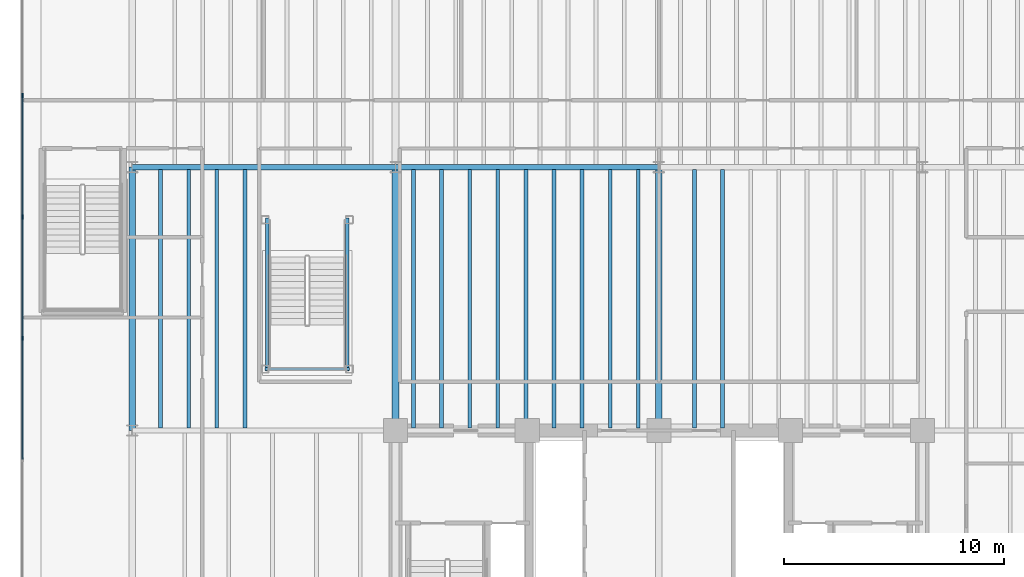
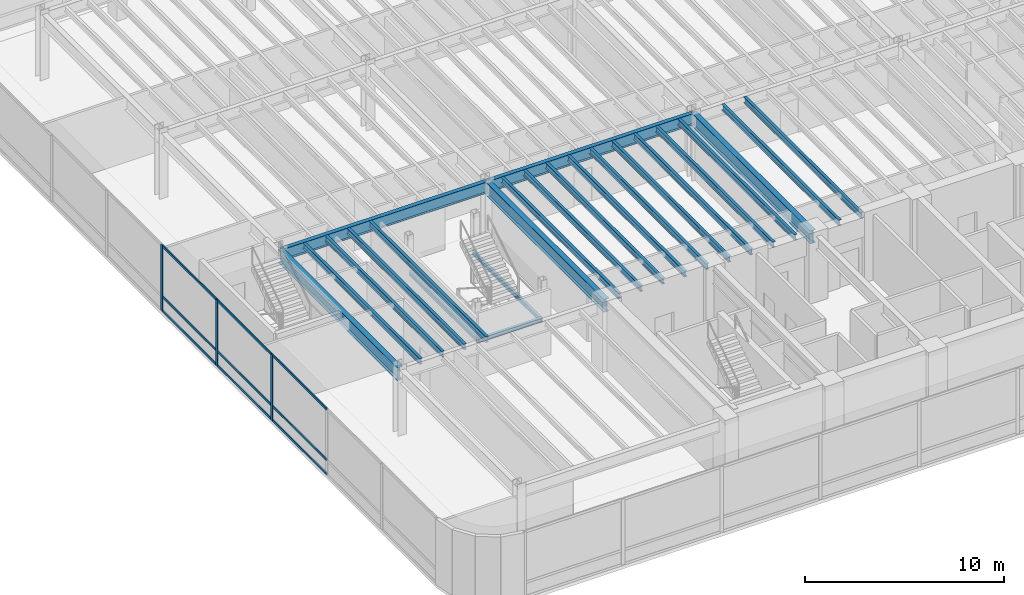
# One storey, part 4 of 18: 23 beams, 12 members, 1 element without a shape of its own.
"""IFC4 building model written with IfcOpenShell, lengths in metres."""

from ifc_helpers import new_model, si_unit, direction, frame, origin, origin_2d, place, context, subcontext, project, spatial, rectangle, i_section, extrude, source, transform, mapped, material, layer, layer_set, material_profile, profile_set, type_object, element, aggregate, save


model = new_model("IFC4")

# Units and contexts
model_context = context("Model", 3, precision=1e-05, world=origin(), true_north=direction((0.0, 1.0)))
body_context = subcontext(model_context, "Body", "Model", "MODEL_VIEW")
ifc_project = project(units=[si_unit("LENGTHUNIT", "METRE"), si_unit("AREAUNIT", "SQUARE_METRE"), si_unit("VOLUMEUNIT", "CUBIC_METRE"), si_unit("PLANEANGLEUNIT", "RADIAN"), si_unit("MASSUNIT", "GRAM", prefix="KILO")], contexts=[model_context])

# Site, building, storey
site_placement = place(None, origin())
site = spatial("IfcSite", under=ifc_project, at=site_placement, CompositionType="ELEMENT")
building_placement = place(site_placement, origin())
building = spatial("IfcBuilding", under=site, at=building_placement, Name="Brelvock Crest Care Tower", CompositionType="ELEMENT")
storey_placement = place(building_placement, frame((0.0, 0.0, 9.719970703125)))
storey = spatial("IfcBuildingStorey", under=building, at=storey_placement, Name="L02", CompositionType="ELEMENT", Elevation=9.719970703125)

# Beams
ifc_material_1 = material(Name="Steel Grade 350", Category="steel")
ifc_material_profile_1 = material_profile(ifc_material_1, i_section(OverallWidth=0.300048828125, OverallDepth=0.800048828125, WebThickness=0.013916015625, FlangeThickness=0.02197265625, at=origin_2d()), Name="800WB192")
ifc_profile_set_1 = profile_set([ifc_material_profile_1], Name="Steel Grade 350")
beam_type_1 = type_object("IfcBeamType", Name="BM-G5", PredefinedType="BEAM", material=ifc_profile_set_1)
shared_shape_1 = source(origin(), body_context, "Body", "SweptSolid", [
    extrude(i_section(OverallWidth=0.300048828125, OverallDepth=0.800048828125, WebThickness=0.013916015625, FlangeThickness=0.02197265625, at=origin_2d()), origin(), (0.0, 0.0, 1.0), 12.0),
])
for number, where, z_axis, x_axis, name in (
    (1, (12.0, 18.0, 3.64013671875), (0.0, 1.0, 0.0), (-1.0, 0.0, 0.0), "BM-PODY-L02-12-18"),
    (2, (24.0, 18.0, 3.64013671875), (0.0, 1.0, 0.0), (-1.0, 0.0, 0.0), "BM-PODY-L02-24-18"),
    (3, (36.0, 18.0, 3.64013671875), (0.0, 1.0, 0.0), (-1.0, 0.0, 0.0), "BM-PODY-L02-36-18"),
):
    element("IfcBeam", number, at=place(storey_placement, frame(where, z_axis=z_axis, x_axis=x_axis)), inside=storey, type_object=beam_type_1, Name=name, PredefinedType="BEAM", context=body_context, shape_type="MappedRepresentation", body=[
        mapped(shared_shape_1, transform((0.0, 0.0, 0.0), x_axis=(1.0, 0.0, 0.0), y_axis=(0.0, 1.0, 0.0), z_axis=(0.0, 0.0, 1.0), scale=1.0)),
    ])
ifc_material_profile_2 = material_profile(ifc_material_1, i_section(OverallWidth=0.172119140625, OverallDepth=0.35888671875, WebThickness=0.008056640625, FlangeThickness=0.012939453125, FilletRadius=0.011474609375, at=origin_2d()), Name="360UB56.7")
ifc_profile_set_2 = profile_set([ifc_material_profile_2], Name="Steel Grade 350")
beam_type_2 = type_object("IfcBeamType", Name="BM-J1", PredefinedType="JOIST", material=ifc_profile_set_2)
shared_shape_2 = source(origin(), body_context, "Body", "SweptSolid", [
    extrude(i_section(OverallWidth=0.172119140625, OverallDepth=0.35888671875, WebThickness=0.008056640625, FlangeThickness=0.012939453125, FilletRadius=0.011474609375, at=origin_2d()), origin(), (0.0, 0.0, 1.0), 11.77001953125),
])
for number, where, z_axis, x_axis, name in (
    (4, (13.300048828125, 18.114990234375, 3.860595703125), (0.0, 1.0, 0.0), (-1.0, 0.0, 0.0), "BM-PODJ-L02-1330-18"),
    (5, (14.580078125, 18.114990234375, 3.860595703125), (0.0, 1.0, 0.0), (-1.0, 0.0, 0.0), "BM-PODJ-L02-1458-18"),
    (6, (15.860107421875, 18.114990234375, 3.860595703125), (0.0, 1.0, 0.0), (-1.0, 0.0, 0.0), "BM-PODJ-L02-1586-18"),
    (7, (17.139892578125, 18.114990234375, 3.860595703125), (0.0, 1.0, 0.0), (-1.0, 0.0, 0.0), "BM-PODJ-L02-1714-18"),
    (8, (24.820068359375, 18.114990234375, 3.860595703125), (0.0, 1.0, 0.0), (-1.0, 0.0, 0.0), "BM-PODJ-L02-2482-18"),
    (9, (26.10009765625, 18.114990234375, 3.860595703125), (0.0, 1.0, 0.0), (-1.0, 0.0, 0.0), "BM-PODJ-L02-2610-18"),
    (10, (27.3798828125, 18.114990234375, 3.860595703125), (0.0, 1.0, 0.0), (-1.0, 0.0, 0.0), "BM-PODJ-L02-2738-18"),
    (11, (28.659912109375, 18.114990234375, 3.860595703125), (0.0, 1.0, 0.0), (-1.0, 0.0, 0.0), "BM-PODJ-L02-2866-18"),
    (12, (29.93994140625, 18.114990234375, 3.860595703125), (0.0, 1.0, 0.0), (-1.0, 0.0, 0.0), "BM-PODJ-L02-2994-18"),
    (13, (31.219970703125, 18.114990234375, 3.860595703125), (0.0, 1.0, 0.0), (-1.0, 0.0, 0.0), "BM-PODJ-L02-3122-18"),
    (14, (32.5, 18.114990234375, 3.860595703125), (0.0, 1.0, 0.0), (-1.0, 0.0, 0.0), "BM-PODJ-L02-3250-18"),
    (15, (33.780029296875, 18.114990234375, 3.860595703125), (0.0, 1.0, 0.0), (-1.0, 0.0, 0.0), "BM-PODJ-L02-3378-18"),
    (16, (35.06005859375, 18.114990234375, 3.860595703125), (0.0, 1.0, 0.0), (-1.0, 0.0, 0.0), "BM-PODJ-L02-3506-18"),
    (17, (37.6201171875, 18.114990234375, 3.860595703125), (0.0, 1.0, 0.0), (-1.0, 0.0, 0.0), "BM-PODJ-L02-3762-18"),
    (18, (38.89990234375, 18.114990234375, 3.860595703125), (0.0, 1.0, 0.0), (-1.0, 0.0, 0.0), "BM-PODJ-L02-3890-18"),
):
    element("IfcBeam", number, at=place(storey_placement, frame(where, z_axis=z_axis, x_axis=x_axis)), inside=storey, type_object=beam_type_2, Name=name, PredefinedType="JOIST", context=body_context, shape_type="MappedRepresentation", body=[
        mapped(shared_shape_2, transform((0.0, 0.0, 0.0), x_axis=(1.0, 0.0, 0.0), y_axis=(0.0, 1.0, 0.0), z_axis=(0.0, 0.0, 1.0), scale=1.0)),
    ])
ifc_material_profile_3 = material_profile(ifc_material_1, i_section(OverallWidth=0.14599609375, OverallDepth=0.256103515625, WebThickness=0.00634765625, FlangeThickness=0.010986328125, FilletRadius=0.0087890625, at=origin_2d()), Name="250UB37.3")
ifc_profile_set_3 = profile_set([ifc_material_profile_3], Name="Steel Grade 350")
beam_type_3 = type_object("IfcBeamType", Name="BM-J3", PredefinedType="JOIST", material=ifc_profile_set_3)
shared_shape_3 = source(origin(), body_context, "Body", "SweptSolid", [
    extrude(i_section(OverallWidth=0.14599609375, OverallDepth=0.256103515625, WebThickness=0.00634765625, FlangeThickness=0.010986328125, FilletRadius=0.0087890625, at=origin_2d()), origin(), (0.0, 0.0, 1.0), 3.83984375),
])
beam_placement = place(storey_placement, frame((18.06005859375, 20.800048828125, 1.83203125), z_axis=(1.0, 0.0, 0.0), x_axis=(0.0, 1.0, 0.0)))
element("IfcBeam", 19, at=beam_placement, inside=storey, type_object=beam_type_3, Name="BM-ST5L-L02-1-H", PredefinedType="JOIST", context=body_context, shape_type="MappedRepresentation", body=[
    mapped(shared_shape_3, transform((0.0, 0.0, 0.0), x_axis=(1.0, 0.0, 0.0), y_axis=(0.0, 1.0, 0.0), z_axis=(0.0, 0.0, 1.0), scale=1.0)),
])
shared_shape_4 = source(origin(), body_context, "Body", "SweptSolid", [
    extrude(i_section(OverallWidth=0.14599609375, OverallDepth=0.256103515625, WebThickness=0.00634765625, FlangeThickness=0.010986328125, FilletRadius=0.0087890625, at=origin_2d()), origin(), (0.0, 0.0, 1.0), 6.9599609375),
])
for number, where, z_axis, x_axis, name in (
    (20, (18.159912109375, 20.719970703125, 1.83203125), (0.0, 1.0, 0.0), (-1.0, 0.0, 0.0), "BM-ST5L-L02-1-W"),
    (21, (21.800048828125, 20.719970703125, 1.83203125), (0.0, 1.0, 0.0), (-1.0, 0.0, 0.0), "BM-ST5L-L02-1-E"),
):
    element("IfcBeam", number, at=place(storey_placement, frame(where, z_axis=z_axis, x_axis=x_axis)), inside=storey, type_object=beam_type_3, Name=name, PredefinedType="JOIST", context=body_context, shape_type="MappedRepresentation", body=[
        mapped(shared_shape_4, transform((0.0, 0.0, 0.0), x_axis=(1.0, 0.0, 0.0), y_axis=(0.0, 1.0, 0.0), z_axis=(0.0, 0.0, 1.0), scale=1.0)),
    ])
ifc_material_profile_4 = material_profile(ifc_material_1, i_section(OverallWidth=0.25, OverallDepth=0.699951171875, WebThickness=0.011962890625, FlangeThickness=0.02001953125, at=origin_2d()), Name="700WB150")
ifc_profile_set_4 = profile_set([ifc_material_profile_4], Name="Steel Grade 350")
beam_type_4 = type_object("IfcBeamType", Name="BM-G4", PredefinedType="BEAM", material=ifc_profile_set_4)
shared_shape_5 = source(origin(), body_context, "Body", "SweptSolid", [
    extrude(i_section(OverallWidth=0.25, OverallDepth=0.699951171875, WebThickness=0.011962890625, FlangeThickness=0.02001953125, at=origin_2d()), origin(), (0.0, 0.0, 1.0), 12.0),
])
for number, where, z_axis, x_axis, name in (
    (22, (12.0, 30.0, 3.68994140625), (1.0, 0.0, 0.0), (0.0, 1.0, 0.0), "BM-PODX-L02-30-12"),
    (23, (24.0, 30.0, 3.68994140625), (1.0, 0.0, 0.0), (0.0, 1.0, 0.0), "BM-PODX-L02-30-24"),
):
    element("IfcBeam", number, at=place(storey_placement, frame(where, z_axis=z_axis, x_axis=x_axis)), inside=storey, type_object=beam_type_4, Name=name, PredefinedType="BEAM", context=body_context, shape_type="MappedRepresentation", body=[
        mapped(shared_shape_5, transform((0.0, 0.0, 0.0), x_axis=(1.0, 0.0, 0.0), y_axis=(0.0, 1.0, 0.0), z_axis=(0.0, 0.0, 1.0), scale=1.0)),
    ])

# Curtain wall, members
ifc_material_2 = material(Name="Dark Glass Double Glazed Low-E", Category="glass")
ifc_layer = layer(ifc_material_2, 0.179931640625, Name="CWS-1")
ifc_layer_set = layer_set([ifc_layer], Name="Dark Glass Double Glazed Low-E")
curtain_wall_type = type_object("IfcCurtainWallType", Name="CWS-1", PredefinedType="NOTDEFINED", material=ifc_layer_set)
curtain_wall_placement = place(storey_placement, origin())
curtain_wall = element("IfcCurtainWall", 24, at=curtain_wall_placement, inside=storey, type_object=curtain_wall_type, Name="L02 Curtain Wall E04", PredefinedType="NOTDEFINED")
ifc_material_3 = material(Name="Aluminium 6063-T6", Category="aluminium")
ifc_material_profile_5 = material_profile(ifc_material_3, rectangle(XDim=0.06494140625, YDim=0.199951171875, at=origin_2d()), Name="ALU65x200")
ifc_profile_set_5 = profile_set([ifc_material_profile_5], Name="Aluminium 6063-T6")
member_type_1 = type_object("IfcMemberType", Name="CWM-1", PredefinedType="MULLION", material=ifc_profile_set_5)
shared_shape_6 = source(origin(), body_context, "Body", "SweptSolid", [
    extrude(rectangle(XDim=0.06494140625, YDim=0.199951171875, at=origin_2d()), origin(), (0.0, 0.0, 1.0), 4.0400390625),
])
member_1_placement = place(storey_placement, frame((7.0, 22.199951171875, 0.0), z_axis=(0.0, 0.0, 1.0), x_axis=(-1.0, 0.0, 0.0)))
member_1 = element("IfcMember", 25, at=member_1_placement, type_object=member_type_1, Name="CW-1 mullion 4", PredefinedType="MULLION", context=body_context, shape_type="MappedRepresentation", body=[
    mapped(shared_shape_6, transform((0.0, 0.0, 0.0), x_axis=(1.0, 0.0, 0.0), y_axis=(0.0, 1.0, 0.0), z_axis=(0.0, 0.0, 1.0), scale=1.0)),
])
member_2_placement = place(storey_placement, frame((7.0, 27.7333984375, 0.0), z_axis=(0.0, 0.0, 1.0), x_axis=(-1.0, 0.0, 0.0)))
member_2 = element("IfcMember", 26, at=member_2_placement, type_object=member_type_1, Name="CW-1 mullion 5", PredefinedType="MULLION", context=body_context, shape_type="MappedRepresentation", body=[
    mapped(shared_shape_6, transform((0.0, 0.0, 0.0), x_axis=(1.0, 0.0, 0.0), y_axis=(0.0, 1.0, 0.0), z_axis=(0.0, 0.0, 1.0), scale=1.0)),
])
member_3_placement = place(storey_placement, frame((7.0, 33.2666015625, 0.0), z_axis=(0.0, 0.0, 1.0), x_axis=(-1.0, 0.0, 0.0)))
member_3 = element("IfcMember", 27, at=member_3_placement, type_object=member_type_1, Name="CW-1 mullion 6", PredefinedType="MULLION", context=body_context, shape_type="MappedRepresentation", body=[
    mapped(shared_shape_6, transform((0.0, 0.0, 0.0), x_axis=(1.0, 0.0, 0.0), y_axis=(0.0, 1.0, 0.0), z_axis=(0.0, 0.0, 1.0), scale=1.0)),
])
ifc_material_profile_6 = material_profile(ifc_material_3, rectangle(XDim=0.06494140625, YDim=0.14990234375, at=origin_2d()), Name="ALU65x150")
ifc_profile_set_6 = profile_set([ifc_material_profile_6], Name="Aluminium 6063-T6")
member_type_2 = type_object("IfcMemberType", Name="CWT-1", PredefinedType="USERDEFINED", material=ifc_profile_set_6)
shared_shape_7 = source(origin(), body_context, "Body", "SweptSolid", [
    extrude(rectangle(XDim=0.06494140625, YDim=0.14990234375, at=origin_2d()), origin(), (0.0, 0.0, 1.0), 5.468505859375),
])
member_4_placement = place(storey_placement, frame((7.0, 22.232421875, 0.032470703125), z_axis=(0.0, 1.0, 0.0), x_axis=(-1.0, 0.0, 0.0)))
member_4 = element("IfcMember", 28, at=member_4_placement, type_object=member_type_2, Name="CW-1 transom 4.1", ObjectType="TRANSOM", PredefinedType="USERDEFINED", context=body_context, shape_type="MappedRepresentation", body=[
    mapped(shared_shape_7, transform((0.0, 0.0, 0.0), x_axis=(1.0, 0.0, 0.0), y_axis=(0.0, 1.0, 0.0), z_axis=(0.0, 0.0, 1.0), scale=1.0)),
])
member_5_placement = place(storey_placement, frame((7.0, 22.232421875, 0.900146484375), z_axis=(0.0, 1.0, 0.0), x_axis=(-1.0, 0.0, 0.0)))
member_5 = element("IfcMember", 29, at=member_5_placement, type_object=member_type_2, Name="CW-1 transom 4.2", ObjectType="TRANSOM", PredefinedType="USERDEFINED", context=body_context, shape_type="MappedRepresentation", body=[
    mapped(shared_shape_7, transform((0.0, 0.0, 0.0), x_axis=(1.0, 0.0, 0.0), y_axis=(0.0, 1.0, 0.0), z_axis=(0.0, 0.0, 1.0), scale=1.0)),
])
member_6_placement = place(storey_placement, frame((7.0, 22.232421875, 4.007568359375), z_axis=(0.0, 1.0, 0.0), x_axis=(-1.0, 0.0, 0.0)))
member_6 = element("IfcMember", 30, at=member_6_placement, type_object=member_type_2, Name="CW-1 transom 4.3", ObjectType="TRANSOM", PredefinedType="USERDEFINED", context=body_context, shape_type="MappedRepresentation", body=[
    mapped(shared_shape_7, transform((0.0, 0.0, 0.0), x_axis=(1.0, 0.0, 0.0), y_axis=(0.0, 1.0, 0.0), z_axis=(0.0, 0.0, 1.0), scale=1.0)),
])
shared_shape_8 = source(origin(), body_context, "Body", "SweptSolid", [
    extrude(rectangle(XDim=0.06494140625, YDim=0.14990234375, at=origin_2d()), origin(), (0.0, 0.0, 1.0), 5.46826171875),
])
member_7_placement = place(storey_placement, frame((7.0, 16.69921875, 0.032470703125), z_axis=(0.0, 1.0, 0.0), x_axis=(-1.0, 0.0, 0.0)))
member_7 = element("IfcMember", 31, at=member_7_placement, type_object=member_type_2, Name="CW-1 transom 3.1", ObjectType="TRANSOM", PredefinedType="USERDEFINED", context=body_context, shape_type="MappedRepresentation", body=[
    mapped(shared_shape_8, transform((0.0, 0.0, 0.0), x_axis=(1.0, 0.0, 0.0), y_axis=(0.0, 1.0, 0.0), z_axis=(0.0, 0.0, 1.0), scale=1.0)),
])
member_8_placement = place(storey_placement, frame((7.0, 16.69921875, 0.900146484375), z_axis=(0.0, 1.0, 0.0), x_axis=(-1.0, 0.0, 0.0)))
member_8 = element("IfcMember", 32, at=member_8_placement, type_object=member_type_2, Name="CW-1 transom 3.2", ObjectType="TRANSOM", PredefinedType="USERDEFINED", context=body_context, shape_type="MappedRepresentation", body=[
    mapped(shared_shape_8, transform((0.0, 0.0, 0.0), x_axis=(1.0, 0.0, 0.0), y_axis=(0.0, 1.0, 0.0), z_axis=(0.0, 0.0, 1.0), scale=1.0)),
])
member_9_placement = place(storey_placement, frame((7.0, 16.69921875, 4.007568359375), z_axis=(0.0, 1.0, 0.0), x_axis=(-1.0, 0.0, 0.0)))
member_9 = element("IfcMember", 33, at=member_9_placement, type_object=member_type_2, Name="CW-1 transom 3.3", ObjectType="TRANSOM", PredefinedType="USERDEFINED", context=body_context, shape_type="MappedRepresentation", body=[
    mapped(shared_shape_8, transform((0.0, 0.0, 0.0), x_axis=(1.0, 0.0, 0.0), y_axis=(0.0, 1.0, 0.0), z_axis=(0.0, 0.0, 1.0), scale=1.0)),
])
member_10_placement = place(storey_placement, frame((7.0, 27.765869140625, 0.032470703125), z_axis=(0.0, 1.0, 0.0), x_axis=(-1.0, 0.0, 0.0)))
member_10 = element("IfcMember", 34, at=member_10_placement, type_object=member_type_2, Name="CW-1 transom 5.1", ObjectType="TRANSOM", PredefinedType="USERDEFINED", context=body_context, shape_type="MappedRepresentation", body=[
    mapped(shared_shape_8, transform((0.0, 0.0, 0.0), x_axis=(1.0, 0.0, 0.0), y_axis=(0.0, 1.0, 0.0), z_axis=(0.0, 0.0, 1.0), scale=1.0)),
])
member_11_placement = place(storey_placement, frame((7.0, 27.765869140625, 0.900146484375), z_axis=(0.0, 1.0, 0.0), x_axis=(-1.0, 0.0, 0.0)))
member_11 = element("IfcMember", 35, at=member_11_placement, type_object=member_type_2, Name="CW-1 transom 5.2", ObjectType="TRANSOM", PredefinedType="USERDEFINED", context=body_context, shape_type="MappedRepresentation", body=[
    mapped(shared_shape_8, transform((0.0, 0.0, 0.0), x_axis=(1.0, 0.0, 0.0), y_axis=(0.0, 1.0, 0.0), z_axis=(0.0, 0.0, 1.0), scale=1.0)),
])
member_12_placement = place(storey_placement, frame((7.0, 27.765869140625, 4.007568359375), z_axis=(0.0, 1.0, 0.0), x_axis=(-1.0, 0.0, 0.0)))
member_12 = element("IfcMember", 36, at=member_12_placement, type_object=member_type_2, Name="CW-1 transom 5.3", ObjectType="TRANSOM", PredefinedType="USERDEFINED", context=body_context, shape_type="MappedRepresentation", body=[
    mapped(shared_shape_8, transform((0.0, 0.0, 0.0), x_axis=(1.0, 0.0, 0.0), y_axis=(0.0, 1.0, 0.0), z_axis=(0.0, 0.0, 1.0), scale=1.0)),
])
aggregate(curtain_wall, [member_1, member_2, member_3, member_7, member_8, member_9, member_4, member_5, member_6, member_10, member_11, member_12])

save(model, "model.ifc")
